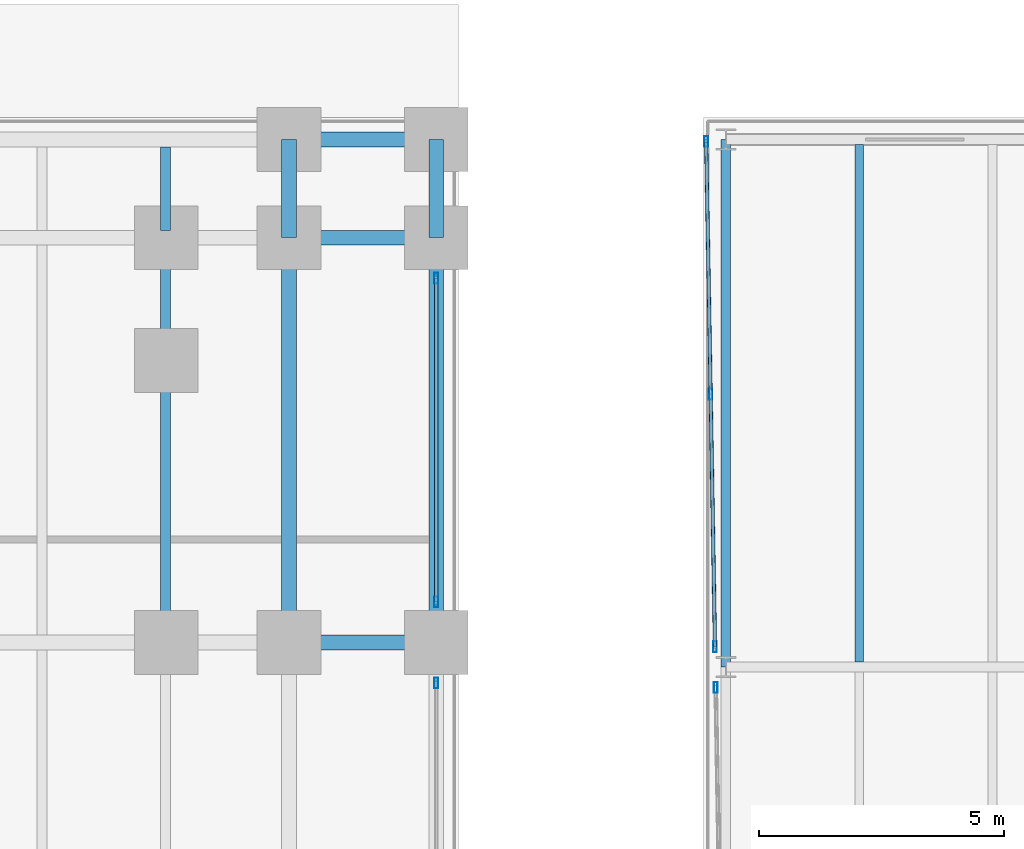
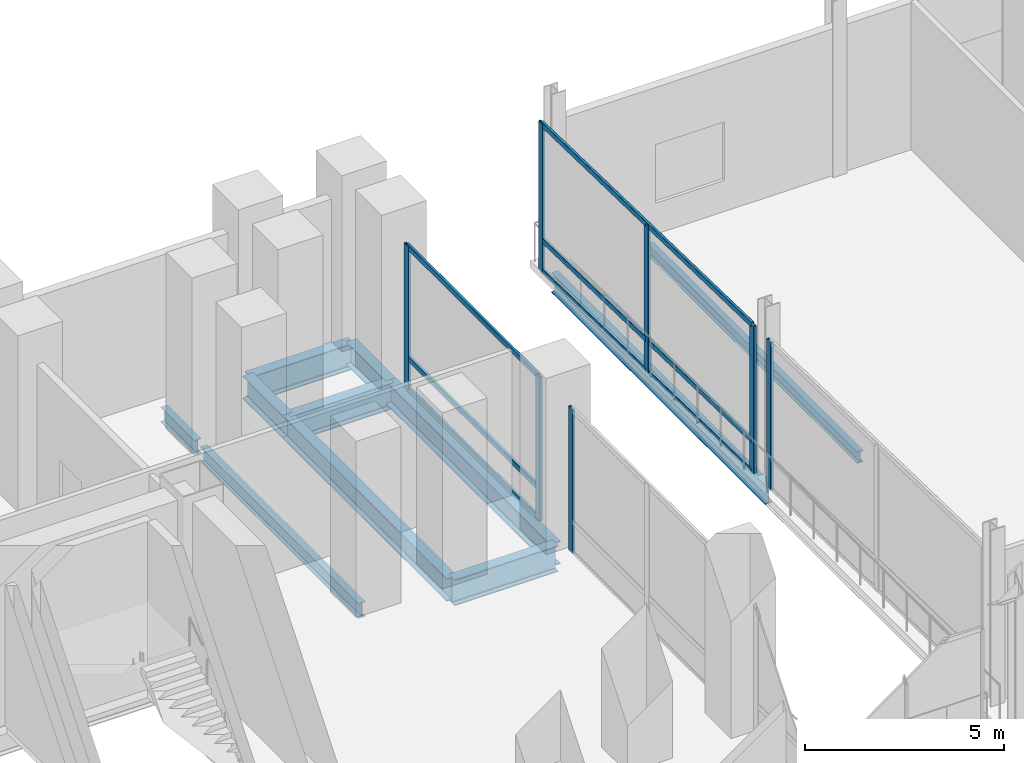
# One storey, part 17 of 32: 13 members, 11 beams, 4 elements without a shape of their own.
"""IFC4 building model written with IfcOpenShell, lengths in metres."""

from ifc_helpers import new_model, si_unit, direction, frame, origin, origin_2d, place, context, subcontext, project, spatial, hollow_rectangle, i_section, extrude, material, material_profile, profile_set, type_object, element, aggregate, save


model = new_model("IFC4")

# Units and contexts
model_context = context("Model", 3, precision=1e-05, world=origin(), true_north=direction((0.0, 1.0)))
body_context = subcontext(model_context, "Body", "Model", "MODEL_VIEW")
ifc_project = project(units=[si_unit("LENGTHUNIT", "METRE"), si_unit("AREAUNIT", "SQUARE_METRE"), si_unit("VOLUMEUNIT", "CUBIC_METRE"), si_unit("PLANEANGLEUNIT", "RADIAN"), si_unit("MASSUNIT", "GRAM", prefix="KILO")], contexts=[model_context])

# Site, building, storey
site_placement = place(None, origin())
site = spatial("IfcSite", under=ifc_project, at=site_placement, CompositionType="ELEMENT")
building_placement = place(site_placement, origin())
building = spatial("IfcBuilding", under=site, at=building_placement, Name="Noeulbin Bourse Tower", CompositionType="ELEMENT")
storey_placement = place(building_placement, frame((0.0, 0.0, 5.800048828125)))
storey = spatial("IfcBuildingStorey", under=building, at=storey_placement, Name="L02", CompositionType="ELEMENT", Elevation=5.800048828125)

# Beams
ifc_material_1 = material(Name="Steel S355", Category="steel")
ifc_material_profile_1 = material_profile(ifc_material_1, i_section(OverallWidth=0.199951171875, OverallDepth=0.60009765625, WebThickness=0.010986328125, FlangeThickness=0.01708984375, FilletRadius=0.02197265625, at=origin_2d()), Name="H-600x200x11x17", Category="LoadBearing")
ifc_profile_set_1 = profile_set([ifc_material_profile_1], Name="Steel S355")
beam_type_1 = type_object("IfcBeamType", Name="BM-GRD-600", PredefinedType="USERDEFINED", material=ifc_profile_set_1)
beam_1_placement = place(storey_placement, frame((60.449951171875, 37.800048828125, -0.52001953125), z_axis=(0.0, 1.0, 0.0), x_axis=(-1.0, 0.0, 0.0)))
element("IfcBeam", 1, at=beam_1_placement, inside=storey, type_object=beam_type_1, Name="Market Hall Girder NS L02-14", ObjectType="GIRDER", PredefinedType="USERDEFINED", context=body_context, shape_type="SweptSolid", body=[
    extrude(i_section(OverallWidth=0.199951171875, OverallDepth=0.60009765625, WebThickness=0.010986328125, FlangeThickness=0.01708984375, FilletRadius=0.02197265625, at=origin_2d()), origin(), (0.0, 0.0, 1.0), 10.75),
])
ifc_material_profile_2 = material_profile(ifc_material_1, i_section(OverallWidth=0.300048828125, OverallDepth=0.699951171875, WebThickness=0.012939453125, FlangeThickness=0.02392578125, FilletRadius=0.02392578125, at=origin_2d()), Name="H-700x300x13x24", Category="LoadBearing")
ifc_profile_set_2 = profile_set([ifc_material_profile_2], Name="Steel S355")
beam_type_2 = type_object("IfcBeamType", Name="BM-GRD-700", PredefinedType="USERDEFINED", material=ifc_profile_set_2)
beam_2_placement = place(storey_placement, frame((51.550048828125, 38.300048828125, -0.60009765625), z_axis=(0.0, 1.0, 0.0), x_axis=(-1.0, 0.0, 0.0)))
element("IfcBeam", 2, at=beam_2_placement, inside=storey, type_object=beam_type_2, Name="Podium Primary Girder NS L02-100", ObjectType="GIRDER", PredefinedType="USERDEFINED", context=body_context, shape_type="SweptSolid", body=[
    extrude(i_section(OverallWidth=0.300048828125, OverallDepth=0.699951171875, WebThickness=0.012939453125, FlangeThickness=0.02392578125, FilletRadius=0.02392578125, at=origin_2d()), origin(), (0.0, 0.0, 1.0), 8.25),
])
beam_3_placement = place(storey_placement, frame((51.550048828125, 46.550048828125, -0.60009765625), z_axis=(0.0, 1.0, 0.0), x_axis=(-1.0, 0.0, 0.0)))
element("IfcBeam", 3, at=beam_3_placement, inside=storey, type_object=beam_type_2, Name="Podium Primary Girder NS L02-101", ObjectType="GIRDER", PredefinedType="USERDEFINED", context=body_context, shape_type="SweptSolid", body=[
    extrude(i_section(OverallWidth=0.300048828125, OverallDepth=0.699951171875, WebThickness=0.012939453125, FlangeThickness=0.02392578125, FilletRadius=0.02392578125, at=origin_2d()), origin(), (0.0, 0.0, 1.0), 2.0),
])
beam_4_placement = place(storey_placement, frame((54.550048828125, 38.300048828125, -0.60009765625), z_axis=(0.0, 1.0, 0.0), x_axis=(-1.0, 0.0, 0.0)))
element("IfcBeam", 4, at=beam_4_placement, inside=storey, type_object=beam_type_2, Name="Podium Primary Girder NS L02-106", ObjectType="GIRDER", PredefinedType="USERDEFINED", context=body_context, shape_type="SweptSolid", body=[
    extrude(i_section(OverallWidth=0.300048828125, OverallDepth=0.699951171875, WebThickness=0.012939453125, FlangeThickness=0.02392578125, FilletRadius=0.02392578125, at=origin_2d()), origin(), (0.0, 0.0, 1.0), 8.25),
])
beam_5_placement = place(storey_placement, frame((54.550048828125, 46.550048828125, -0.60009765625), z_axis=(0.0, 1.0, 0.0), x_axis=(-1.0, 0.0, 0.0)))
element("IfcBeam", 5, at=beam_5_placement, inside=storey, type_object=beam_type_2, Name="Podium Primary Girder NS L02-107", ObjectType="GIRDER", PredefinedType="USERDEFINED", context=body_context, shape_type="SweptSolid", body=[
    extrude(i_section(OverallWidth=0.300048828125, OverallDepth=0.699951171875, WebThickness=0.012939453125, FlangeThickness=0.02392578125, FilletRadius=0.02392578125, at=origin_2d()), origin(), (0.0, 0.0, 1.0), 2.0),
])
ifc_material_profile_3 = material_profile(ifc_material_1, i_section(OverallWidth=0.300048828125, OverallDepth=0.800048828125, WebThickness=0.013916015625, FlangeThickness=0.02587890625, FilletRadius=0.02587890625, at=origin_2d()), Name="H-800x300x14x26", Category="LoadBearing")
ifc_profile_set_3 = profile_set([ifc_material_profile_3], Name="Steel S355")
beam_type_3 = type_object("IfcBeamType", Name="BM-GRD-800", PredefinedType="USERDEFINED", material=ifc_profile_set_3)
for number, where, z_axis, x_axis, name in (
    (6, (51.550048828125, 38.300048828125, -0.650146484375), (1.0, 0.0, 0.0), (0.0, 1.0, 0.0), "Podium Primary Girder EW L02-040"),
    (7, (51.550048828125, 46.550048828125, -0.650146484375), (1.0, 0.0, 0.0), (0.0, 1.0, 0.0), "Podium Primary Girder EW L02-048"),
    (8, (51.550048828125, 48.550048828125, -0.650146484375), (1.0, 0.0, 0.0), (0.0, 1.0, 0.0), "Podium Primary Girder EW L02-056"),
):
    element("IfcBeam", number, at=place(storey_placement, frame(where, z_axis=z_axis, x_axis=x_axis)), inside=storey, type_object=beam_type_3, Name=name, ObjectType="GIRDER", PredefinedType="USERDEFINED", context=body_context, shape_type="SweptSolid", body=[
        extrude(i_section(OverallWidth=0.300048828125, OverallDepth=0.800048828125, WebThickness=0.013916015625, FlangeThickness=0.02587890625, FilletRadius=0.02587890625, at=origin_2d()), origin(), (0.0, 0.0, 1.0), 3.0),
    ])
ifc_material_profile_4 = material_profile(ifc_material_1, i_section(OverallWidth=0.175048828125, OverallDepth=0.35009765625, WebThickness=0.007080078125, FlangeThickness=0.010986328125, FilletRadius=0.013916015625, at=origin_2d()), Name="H-350x175x7x11", Category="LoadBearing")
ifc_profile_set_4 = profile_set([ifc_material_profile_4], Name="Steel S355")
beam_type_4 = type_object("IfcBeamType", Name="BM-JST-350", PredefinedType="JOIST", material=ifc_profile_set_4)
beam_6_placement = place(storey_placement, frame((63.166748046875, 37.89990234375, -0.39501953125), z_axis=(0.0, 1.0, 0.0), x_axis=(-1.0, 0.0, 0.0)))
element("IfcBeam", 9, at=beam_6_placement, inside=storey, type_object=beam_type_4, Name="Market Hall Secondary Joist L02-04", PredefinedType="JOIST", context=body_context, shape_type="SweptSolid", body=[
    extrude(i_section(OverallWidth=0.175048828125, OverallDepth=0.35009765625, WebThickness=0.007080078125, FlangeThickness=0.010986328125, FilletRadius=0.013916015625, at=origin_2d()), origin(), (0.0, 0.0, 1.0), 10.550048828125),
])
ifc_material_profile_5 = material_profile(ifc_material_1, i_section(OverallWidth=0.199951171875, OverallDepth=0.449951171875, WebThickness=0.009033203125, FlangeThickness=0.013916015625, FilletRadius=0.01806640625, at=origin_2d()), Name="H-450x200x9x14", Category="LoadBearing")
ifc_profile_set_5 = profile_set([ifc_material_profile_5], Name="Steel S355")
beam_type_5 = type_object("IfcBeamType", Name="BM-SEC-450", PredefinedType="BEAM", material=ifc_profile_set_5)
beam_7_placement = place(storey_placement, frame((49.033203125, 38.449951171875, -0.47509765625), z_axis=(0.0, 1.0, 0.0), x_axis=(-1.0, 0.0, 0.0)))
element("IfcBeam", 10, at=beam_7_placement, inside=storey, type_object=beam_type_5, Name="Podium Secondary Beam L02-079", PredefinedType="BEAM", context=body_context, shape_type="SweptSolid", body=[
    extrude(i_section(OverallWidth=0.199951171875, OverallDepth=0.449951171875, WebThickness=0.009033203125, FlangeThickness=0.013916015625, FilletRadius=0.01806640625, at=origin_2d()), origin(), (0.0, 0.0, 1.0), 7.949951171875),
])
beam_8_placement = place(storey_placement, frame((49.033203125, 46.699951171875, -0.47509765625), z_axis=(0.0, 1.0, 0.0), x_axis=(-1.0, 0.0, 0.0)))
element("IfcBeam", 11, at=beam_8_placement, inside=storey, type_object=beam_type_5, Name="Podium Secondary Beam L02-080", PredefinedType="BEAM", context=body_context, shape_type="SweptSolid", body=[
    extrude(i_section(OverallWidth=0.199951171875, OverallDepth=0.449951171875, WebThickness=0.009033203125, FlangeThickness=0.013916015625, FilletRadius=0.01806640625, at=origin_2d()), origin(), (0.0, 0.0, 1.0), 1.699951171875),
])

# Curtain wall, member
ifc_material_2 = material(Name="Laminated Clear Low-E Glass", Category="glass")
curtain_wall_type = type_object("IfcCurtainWallType", Name="CW-SYS-1", PredefinedType="NOTDEFINED", material=ifc_material_2)
curtain_wall_1_placement = place(storey_placement, origin())
curtain_wall_1 = element("IfcCurtainWall", 12, at=curtain_wall_1_placement, inside=storey, type_object=curtain_wall_type, Name="Unitised Curtain Wall CW-L02-POD-E2-S2", PredefinedType="NOTDEFINED")
ifc_material_3 = material(Name="Anodised Aluminium 6063-T6", Category="aluminium")
ifc_material_profile_6 = material_profile(ifc_material_3, hollow_rectangle(XDim=0.074951171875, YDim=0.219970703125, WallThickness=0.0048828125, InnerFilletRadius=0.00244140625, OuterFilletRadius=0.0048828125, at=origin_2d()), Name="ALU-MULL-75x220x5", Category="LoadBearing")
ifc_profile_set_6 = profile_set([ifc_material_profile_6], Name="Anodised Aluminium 6063-T6")
member_type_1 = type_object("IfcMemberType", Name="CW-SYS-1-MUL", PredefinedType="MULLION", material=ifc_profile_set_6)
member_1_placement = place(storey_placement, frame((54.550048828125, 37.47509765625, -0.02001953125), z_axis=(0.0, 0.0, 1.0), x_axis=(1.0, 0.0, 0.0)))
member_1 = element("IfcMember", 13, at=member_1_placement, type_object=member_type_1, Name="Curtain Wall Mullion CW-L02-POD-E2-S2-M02", PredefinedType="MULLION", context=body_context, shape_type="SweptSolid", body=[
    extrude(hollow_rectangle(XDim=0.074951171875, YDim=0.219970703125, WallThickness=0.0048828125, InnerFilletRadius=0.00244140625, OuterFilletRadius=0.0048828125, at=origin_2d()), origin(), (0.0, 0.0, 1.0), 4.409912109375),
])
aggregate(curtain_wall_1, [member_1])

# Curtain wall, members
curtain_wall_2_placement = place(storey_placement, origin())
curtain_wall_2 = element("IfcCurtainWall", 14, at=curtain_wall_2_placement, inside=storey, type_object=curtain_wall_type, Name="Unitised Curtain Wall CW-L02-POD-E2-S3", PredefinedType="NOTDEFINED")
member_2_placement = place(storey_placement, frame((54.550048828125, 39.125, -0.02001953125), z_axis=(0.0, 0.0, 1.0), x_axis=(1.0, 0.0, 0.0)))
member_2 = element("IfcMember", 15, at=member_2_placement, type_object=member_type_1, Name="Curtain Wall Mullion CW-L02-POD-E2-S3-M00", PredefinedType="MULLION", context=body_context, shape_type="SweptSolid", body=[
    extrude(hollow_rectangle(XDim=0.074951171875, YDim=0.219970703125, WallThickness=0.0048828125, InnerFilletRadius=0.00244140625, OuterFilletRadius=0.0048828125, at=origin_2d()), origin(), (0.0, 0.0, 1.0), 4.409912109375),
])
member_3_placement = place(storey_placement, frame((54.550048828125, 45.72509765625, -0.02001953125), z_axis=(0.0, 0.0, 1.0), x_axis=(1.0, 0.0, 0.0)))
member_3 = element("IfcMember", 16, at=member_3_placement, type_object=member_type_1, Name="Curtain Wall Mullion CW-L02-POD-E2-S3-M01", PredefinedType="MULLION", context=body_context, shape_type="SweptSolid", body=[
    extrude(hollow_rectangle(XDim=0.074951171875, YDim=0.219970703125, WallThickness=0.0048828125, InnerFilletRadius=0.00244140625, OuterFilletRadius=0.0048828125, at=origin_2d()), origin(), (0.0, 0.0, 1.0), 4.409912109375),
])

# Curtain wall, member
curtain_wall_3_placement = place(storey_placement, origin())
curtain_wall_3 = element("IfcCurtainWall", 17, at=curtain_wall_3_placement, inside=storey, type_object=curtain_wall_type, Name="Unitised Curtain Wall CW-L02-MKT-W2-S1", PredefinedType="NOTDEFINED")
member_4_placement = place(storey_placement, frame((60.24462890625, 37.385986328125, -0.02001953125), z_axis=(0.0, 0.0, 1.0), x_axis=(1.0, 0.0, 0.0)))
member_4 = element("IfcMember", 18, at=member_4_placement, type_object=member_type_1, Name="Curtain Wall Mullion CW-L02-MKT-W2-S1-M02", PredefinedType="MULLION", context=body_context, shape_type="SweptSolid", body=[
    extrude(hollow_rectangle(XDim=0.074951171875, YDim=0.219970703125, WallThickness=0.0048828125, InnerFilletRadius=0.00244140625, OuterFilletRadius=0.0048828125, at=origin_2d()), origin(), (0.0, 0.0, 1.0), 4.5400390625),
])
aggregate(curtain_wall_3, [member_4])

# Curtain wall, members
curtain_wall_4_placement = place(storey_placement, origin())
curtain_wall_4 = element("IfcCurtainWall", 19, at=curtain_wall_4_placement, inside=storey, type_object=curtain_wall_type, Name="Unitised Curtain Wall CW-L02-MKT-W2-S2", PredefinedType="NOTDEFINED")
member_5_placement = place(storey_placement, frame((60.22998046875, 38.214111328125, -0.02001953125), z_axis=(0.0, 0.0, 1.0), x_axis=(1.0, 0.0, 0.0)))
member_5 = element("IfcMember", 20, at=member_5_placement, type_object=member_type_1, Name="Curtain Wall Mullion CW-L02-MKT-W2-S2-M00", PredefinedType="MULLION", context=body_context, shape_type="SweptSolid", body=[
    extrude(hollow_rectangle(XDim=0.074951171875, YDim=0.219970703125, WallThickness=0.0048828125, InnerFilletRadius=0.00244140625, OuterFilletRadius=0.0048828125, at=origin_2d()), origin(), (0.0, 0.0, 1.0), 4.5400390625),
])
member_6_placement = place(storey_placement, frame((60.140380859375, 43.362060546875, -0.02001953125), z_axis=(0.0, 0.0, 1.0), x_axis=(1.0, 0.0, 0.0)))
member_6 = element("IfcMember", 21, at=member_6_placement, type_object=member_type_1, Name="Curtain Wall Mullion CW-L02-MKT-W2-S2-M01", PredefinedType="MULLION", context=body_context, shape_type="SweptSolid", body=[
    extrude(hollow_rectangle(XDim=0.074951171875, YDim=0.219970703125, WallThickness=0.0048828125, InnerFilletRadius=0.00244140625, OuterFilletRadius=0.0048828125, at=origin_2d()), origin(), (0.0, 0.0, 1.0), 4.5400390625),
])
member_7_placement = place(storey_placement, frame((60.05078125, 48.510009765625, -0.02001953125), z_axis=(0.0, 0.0, 1.0), x_axis=(1.0, 0.0, 0.0)))
member_7 = element("IfcMember", 22, at=member_7_placement, type_object=member_type_1, Name="Curtain Wall Mullion CW-L02-MKT-W2-S2-M02", PredefinedType="MULLION", context=body_context, shape_type="SweptSolid", body=[
    extrude(hollow_rectangle(XDim=0.074951171875, YDim=0.219970703125, WallThickness=0.0048828125, InnerFilletRadius=0.00244140625, OuterFilletRadius=0.0048828125, at=origin_2d()), origin(), (0.0, 0.0, 1.0), 4.5400390625),
])

# Member
ifc_material_profile_7 = material_profile(ifc_material_3, hollow_rectangle(XDim=0.074951171875, YDim=0.159912109375, WallThickness=0.0048828125, InnerFilletRadius=0.00244140625, OuterFilletRadius=0.0048828125, at=origin_2d()), Name="ALU-TRAN-75x160x5", Category="LoadBearing")
ifc_profile_set_7 = profile_set([ifc_material_profile_7], Name="Anodised Aluminium 6063-T6")
member_type_2 = type_object("IfcMemberType", Name="CW-SYS-1-TRN", PredefinedType="USERDEFINED", material=ifc_profile_set_7)
member_8_placement = place(storey_placement, frame((54.550048828125, 39.135009765625, 0.010009765625), z_axis=(0.0, 1.0, 0.0), x_axis=(-1.0, 0.0, 0.0)))
member_8 = element("IfcMember", 23, at=member_8_placement, type_object=member_type_2, Name="Curtain Wall Transom CW-L02-POD-E2-S3-T00", ObjectType="TRANSOM", PredefinedType="USERDEFINED", context=body_context, shape_type="SweptSolid", body=[
    extrude(hollow_rectangle(XDim=0.074951171875, YDim=0.159912109375, WallThickness=0.0048828125, InnerFilletRadius=0.00244140625, OuterFilletRadius=0.0048828125, at=origin_2d()), origin(), (0.0, 0.0, 1.0), 6.580078125),
])

member_9_placement = place(storey_placement, frame((54.550048828125, 39.135009765625, 0.949951171875), z_axis=(0.0, 1.0, 0.0), x_axis=(-1.0, 0.0, 0.0)))
member_9 = element("IfcMember", 24, at=member_9_placement, type_object=member_type_2, Name="Curtain Wall Transom CW-L02-POD-E2-S3-T01", ObjectType="TRANSOM", PredefinedType="USERDEFINED", context=body_context, shape_type="SweptSolid", body=[
    extrude(hollow_rectangle(XDim=0.074951171875, YDim=0.159912109375, WallThickness=0.0048828125, InnerFilletRadius=0.00244140625, OuterFilletRadius=0.0048828125, at=origin_2d()), origin(), (0.0, 0.0, 1.0), 6.580078125),
])

member_10_placement = place(storey_placement, frame((54.550048828125, 39.135009765625, 4.35986328125), z_axis=(0.0, 1.0, 0.0), x_axis=(-1.0, 0.0, 0.0)))
member_10 = element("IfcMember", 25, at=member_10_placement, type_object=member_type_2, Name="Curtain Wall Transom CW-L02-POD-E2-S3-T02", ObjectType="TRANSOM", PredefinedType="USERDEFINED", context=body_context, shape_type="SweptSolid", body=[
    extrude(hollow_rectangle(XDim=0.074951171875, YDim=0.159912109375, WallThickness=0.0048828125, InnerFilletRadius=0.00244140625, OuterFilletRadius=0.0048828125, at=origin_2d()), origin(), (0.0, 0.0, 1.0), 6.580078125),
])

aggregate(curtain_wall_2, [member_2, member_3, member_8, member_9, member_10])

member_11_placement = place(storey_placement, frame((60.22998046875, 38.22412109375, 0.010009765625), z_axis=(-0.017436170496, 0.999847978424, 0.0), x_axis=(-0.999847978424, -0.017436170496, 0.0)))
member_11 = element("IfcMember", 26, at=member_11_placement, type_object=member_type_2, Name="Curtain Wall Transom CW-L02-MKT-W2-S2-T00", ObjectType="TRANSOM", PredefinedType="USERDEFINED", context=body_context, shape_type="SweptSolid", body=[
    extrude(hollow_rectangle(XDim=0.074951171875, YDim=0.159912109375, WallThickness=0.0048828125, InnerFilletRadius=0.00244140625, OuterFilletRadius=0.0048828125, at=origin_2d()), origin(), (0.0, 0.0, 1.0), 10.27734375),
])

member_12_placement = place(storey_placement, frame((60.22998046875, 38.22412109375, 0.949951171875), z_axis=(-0.017436170496, 0.999847978424, 0.0), x_axis=(-0.999847978424, -0.017436170496, 0.0)))
member_12 = element("IfcMember", 27, at=member_12_placement, type_object=member_type_2, Name="Curtain Wall Transom CW-L02-MKT-W2-S2-T01", ObjectType="TRANSOM", PredefinedType="USERDEFINED", context=body_context, shape_type="SweptSolid", body=[
    extrude(hollow_rectangle(XDim=0.074951171875, YDim=0.159912109375, WallThickness=0.0048828125, InnerFilletRadius=0.00244140625, OuterFilletRadius=0.0048828125, at=origin_2d()), origin(), (0.0, 0.0, 1.0), 10.27734375),
])

member_13_placement = place(storey_placement, frame((60.22998046875, 38.22412109375, 4.489990234375), z_axis=(-0.017436170496, 0.999847978424, 0.0), x_axis=(-0.999847978424, -0.017436170496, 0.0)))
member_13 = element("IfcMember", 28, at=member_13_placement, type_object=member_type_2, Name="Curtain Wall Transom CW-L02-MKT-W2-S2-T02", ObjectType="TRANSOM", PredefinedType="USERDEFINED", context=body_context, shape_type="SweptSolid", body=[
    extrude(hollow_rectangle(XDim=0.074951171875, YDim=0.159912109375, WallThickness=0.0048828125, InnerFilletRadius=0.00244140625, OuterFilletRadius=0.0048828125, at=origin_2d()), origin(), (0.0, 0.0, 1.0), 10.27734375),
])

aggregate(curtain_wall_4, [member_5, member_6, member_7, member_11, member_12, member_13])

save(model, "model.ifc")
